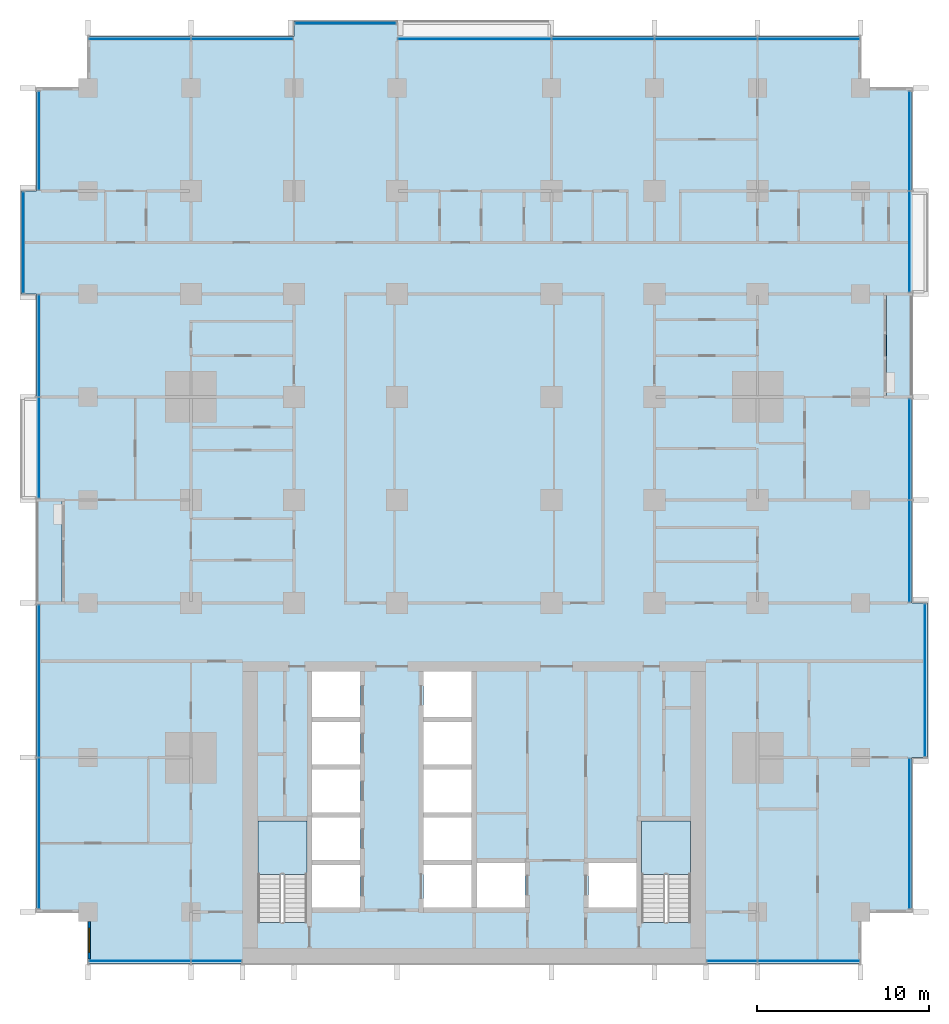
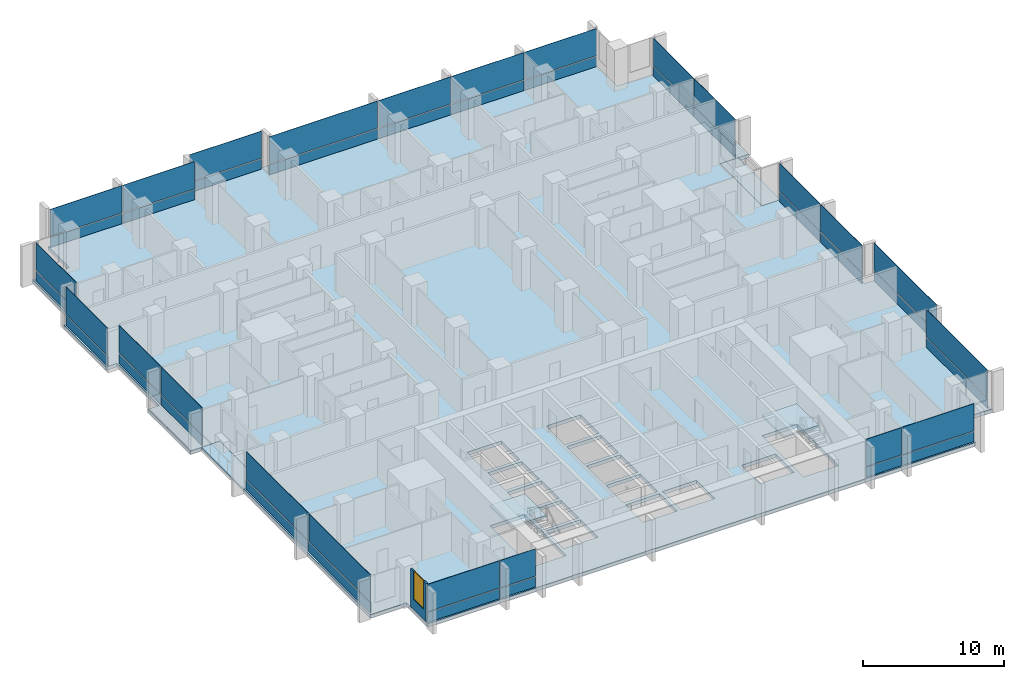
# One storey, part 6 of 18: 46 plates, 5 slabs, 1 wall, 1 window, 1 opening, 15 elements without a shape of their own.
"""IFC4 building model written with IfcOpenShell, lengths in metres."""

from ifc_helpers import new_model, si_unit, direction, frame, frame_2d, origin, origin_2d, place, context, subcontext, project, spatial, polyline, rectangle, outline, extrude, material, layer, layer_set, type_object, element, fill, aggregate, save


model = new_model("IFC4")

# Units and contexts
model_context = context("Model", 3, precision=1e-05, world=origin(), true_north=direction((0.0, 1.0)))
body_context = subcontext(model_context, "Body", "Model", "MODEL_VIEW")
ifc_project = project(units=[si_unit("LENGTHUNIT", "METRE"), si_unit("AREAUNIT", "SQUARE_METRE"), si_unit("VOLUMEUNIT", "CUBIC_METRE"), si_unit("PLANEANGLEUNIT", "RADIAN"), si_unit("MASSUNIT", "GRAM", prefix="KILO")], contexts=[model_context])

# Site, building, storey
site_placement = place(None, origin())
site = spatial("IfcSite", under=ifc_project, at=site_placement, CompositionType="ELEMENT")
building_placement = place(site_placement, origin())
building = spatial("IfcBuilding", under=site, at=building_placement, Name="Finial Court Residences", CompositionType="ELEMENT")
storey_placement = place(building_placement, frame((0.0, 0.0, 36.10009765625)))
storey = spatial("IfcBuildingStorey", under=building, at=storey_placement, Name="L07", CompositionType="ELEMENT", Elevation=36.10009765625)

# Slabs
ifc_material_1 = material(Name="Concrete C35/45", Category="concrete")
ifc_layer_1 = layer(ifc_material_1, 0.199951171875)
ifc_layer_set_1 = layer_set([ifc_layer_1], Name="Balcony slab, Concrete C35/45 200")
slab_type_1 = type_object("IfcSlabType", Name="Balcony slab, Concrete C35/45 200", PredefinedType="FLOOR", material=ifc_layer_set_1)
slab_1_placement = place(storey_placement, frame((0.0, 0.0, -0.2001953125)))
element("IfcSlab", 1, at=slab_1_placement, inside=storey, type_object=slab_type_1, Name="Balcony L07-E5", PredefinedType="FLOOR", context=body_context, shape_type="SweptSolid", body=[
    extrude(outline(polyline([(25.5, 7.5), (25.5, 13.5), (24.0, 13.5), (24.0, 7.5), (25.5, 7.5)])), origin(), (0.0, 0.0, 1.0), 0.2001953125),
])
slab_2_placement = place(storey_placement, frame((0.0, 0.0, -0.2001953125)))
element("IfcSlab", 2, at=slab_2_placement, inside=storey, type_object=slab_type_1, Name="Balcony L07-W3", PredefinedType="FLOOR", context=body_context, shape_type="SweptSolid", body=[
    extrude(outline(polyline([(-24.0, -4.5), (-24.0, 1.5), (-25.5, 1.5), (-25.5, -4.5), (-24.0, -4.5)])), origin(), (0.0, 0.0, 1.0), 0.2001953125),
])

# Curtain wall, plates
ifc_material_2 = material(Name="Bronze anodised aluminium", Category="aluminium")
curtain_wall_type = type_object("IfcCurtainWallType", Name="Unitised curtain wall, lower and middle zones", PredefinedType="NOTDEFINED", material=ifc_material_2)
curtain_wall_1_placement = place(storey_placement, origin())
curtain_wall_1 = element("IfcCurtainWall", 3, at=curtain_wall_1_placement, inside=storey, type_object=curtain_wall_type, Name="E-L07-CW-N1", PredefinedType="NOTDEFINED")
ifc_layer_2 = layer(ifc_material_2, 0.0400390625)
ifc_layer_set_2 = layer_set([ifc_layer_2], Name="CW1 spandrel panel 40")
plate_type_1 = type_object("IfcPlateType", Name="CW1 spandrel panel 40", PredefinedType="CURTAIN_PANEL", material=ifc_layer_set_2)
plate_1_placement = place(storey_placement, frame((-19.48388671875, 28.35009765625, 0.0), z_axis=(0.0, 0.0, 1.0), x_axis=(1.0, 0.0, 0.0)))
plate_1 = element("IfcPlate", 4, at=plate_1_placement, type_object=plate_type_1, Name="CW1 spandrel 1.1", PredefinedType="CURTAIN_PANEL", context=body_context, shape_type="SweptSolid", body=[
    extrude(rectangle(XDim=5.902587890625, YDim=0.0400390625, at=origin_2d()), origin(), (0.0, 0.0, 1.0), 0.867431640625),
])
plate_2_placement = place(storey_placement, frame((-13.516357421875, 28.35009765625, 0.0), z_axis=(0.0, 0.0, 1.0), x_axis=(1.0, 0.0, 0.0)))
plate_2 = element("IfcPlate", 5, at=plate_2_placement, type_object=plate_type_1, Name="CW1 spandrel 2.1", PredefinedType="CURTAIN_PANEL", context=body_context, shape_type="SweptSolid", body=[
    extrude(rectangle(XDim=5.902587890625, YDim=0.0400390625, at=origin_2d()), origin(), (0.0, 0.0, 1.0), 0.867431640625),
])

# Curtain wall, plate
curtain_wall_2_placement = place(storey_placement, origin())
curtain_wall_2 = element("IfcCurtainWall", 6, at=curtain_wall_2_placement, inside=storey, type_object=curtain_wall_type, Name="E-L07-CW-N2", PredefinedType="NOTDEFINED")
plate_3_placement = place(storey_placement, frame((-7.5, 29.25, 0.0), z_axis=(0.0, 0.0, 1.0), x_axis=(1.0, 0.0, 0.0)))
plate_3 = element("IfcPlate", 7, at=plate_3_placement, type_object=plate_type_1, Name="CW1 spandrel 1.1", PredefinedType="CURTAIN_PANEL", context=body_context, shape_type="SweptSolid", body=[
    extrude(rectangle(XDim=5.8701171875, YDim=0.0400390625, at=origin_2d()), origin(), (0.0, 0.0, 1.0), 0.867431640625),
])

# Curtain wall, plates
curtain_wall_3_placement = place(storey_placement, origin())
curtain_wall_3 = element("IfcCurtainWall", 8, at=curtain_wall_3_placement, inside=storey, type_object=curtain_wall_type, Name="E-L07-CW-N3", PredefinedType="NOTDEFINED")
plate_4_placement = place(storey_placement, frame((0.01611328125, 28.35009765625, 0.0), z_axis=(0.0, 0.0, 1.0), x_axis=(1.0, 0.0, 0.0)))
plate_4 = element("IfcPlate", 9, at=plate_4_placement, type_object=plate_type_1, Name="CW1 spandrel 1.1", PredefinedType="CURTAIN_PANEL", context=body_context, shape_type="SweptSolid", body=[
    extrude(rectangle(XDim=8.902587890625, YDim=0.0400390625, at=origin_2d()), origin(), (0.0, 0.0, 1.0), 0.867431640625),
])
plate_5_placement = place(storey_placement, frame((7.5, 28.35009765625, 0.0), z_axis=(0.0, 0.0, 1.0), x_axis=(1.0, 0.0, 0.0)))
plate_5 = element("IfcPlate", 10, at=plate_5_placement, type_object=plate_type_1, Name="CW1 spandrel 2.1", PredefinedType="CURTAIN_PANEL", context=body_context, shape_type="SweptSolid", body=[
    extrude(rectangle(XDim=5.93505859375, YDim=0.0400390625, at=origin_2d()), origin(), (0.0, 0.0, 1.0), 0.867431640625),
])
plate_6_placement = place(storey_placement, frame((13.5, 28.35009765625, 0.0), z_axis=(0.0, 0.0, 1.0), x_axis=(1.0, 0.0, 0.0)))
plate_6 = element("IfcPlate", 11, at=plate_6_placement, type_object=plate_type_1, Name="CW1 spandrel 3.1", PredefinedType="CURTAIN_PANEL", context=body_context, shape_type="SweptSolid", body=[
    extrude(rectangle(XDim=5.93505859375, YDim=0.0400390625, at=origin_2d()), origin(), (0.0, 0.0, 1.0), 0.867431640625),
])
plate_7_placement = place(storey_placement, frame((19.48388671875, 28.35009765625, 0.0), z_axis=(0.0, 0.0, 1.0), x_axis=(1.0, 0.0, 0.0)))
plate_7 = element("IfcPlate", 12, at=plate_7_placement, type_object=plate_type_1, Name="CW1 spandrel 4.1", PredefinedType="CURTAIN_PANEL", context=body_context, shape_type="SweptSolid", body=[
    extrude(rectangle(XDim=5.902587890625, YDim=0.0400390625, at=origin_2d()), origin(), (0.0, 0.0, 1.0), 0.867431640625),
])

# Curtain wall, plate
curtain_wall_4_placement = place(storey_placement, origin())
curtain_wall_4 = element("IfcCurtainWall", 13, at=curtain_wall_4_placement, inside=storey, type_object=curtain_wall_type, Name="E-L07-CW-E4", PredefinedType="NOTDEFINED")
plate_8_placement = place(storey_placement, frame((25.35009765625, -17.925048828125, 0.0), z_axis=(0.0, 0.0, 1.0), x_axis=(0.0, 1.0, 0.0)))
plate_8 = element("IfcPlate", 14, at=plate_8_placement, type_object=plate_type_1, Name="CW1 spandrel 1.1", PredefinedType="CURTAIN_PANEL", context=body_context, shape_type="SweptSolid", body=[
    extrude(rectangle(XDim=8.719970703125, YDim=0.0400390625, at=origin_2d()), origin(), (0.0, 0.0, 1.0), 0.867431640625),
])

curtain_wall_5_placement = place(storey_placement, origin())
curtain_wall_5 = element("IfcCurtainWall", 15, at=curtain_wall_5_placement, inside=storey, type_object=curtain_wall_type, Name="E-L07-CW-E5", PredefinedType="NOTDEFINED")
plate_9_placement = place(storey_placement, frame((26.25, -9.0, 0.0), z_axis=(0.0, 0.0, 1.0), x_axis=(0.0, 1.0, 0.0)))
plate_9 = element("IfcPlate", 16, at=plate_9_placement, type_object=plate_type_1, Name="CW1 spandrel 1.1", PredefinedType="CURTAIN_PANEL", context=body_context, shape_type="SweptSolid", body=[
    extrude(rectangle(XDim=8.8701171875, YDim=0.0400390625, at=origin_2d()), origin(), (0.0, 0.0, 1.0), 0.867431640625),
])

# Curtain wall, plates
curtain_wall_6_placement = place(storey_placement, origin())
curtain_wall_6 = element("IfcCurtainWall", 17, at=curtain_wall_6_placement, inside=storey, type_object=curtain_wall_type, Name="E-L07-CW-E6", PredefinedType="NOTDEFINED")
plate_10_placement = place(storey_placement, frame((25.35009765625, -1.48388671875, 0.0), z_axis=(0.0, 0.0, 1.0), x_axis=(0.0, 1.0, 0.0)))
plate_10 = element("IfcPlate", 18, at=plate_10_placement, type_object=plate_type_1, Name="CW1 spandrel 1.1", PredefinedType="CURTAIN_PANEL", context=body_context, shape_type="SweptSolid", body=[
    extrude(rectangle(XDim=5.902587890625, YDim=0.0400390625, at=origin_2d()), origin(), (0.0, 0.0, 1.0), 0.867431640625),
])
plate_11_placement = place(storey_placement, frame((25.35009765625, 4.4462890625, 0.0), z_axis=(0.0, 0.0, 1.0), x_axis=(0.0, 1.0, 0.0)))
plate_11 = element("IfcPlate", 19, at=plate_11_placement, type_object=plate_type_1, Name="CW1 spandrel 2.1", PredefinedType="CURTAIN_PANEL", context=body_context, shape_type="SweptSolid", body=[
    extrude(rectangle(XDim=5.827392578125, YDim=0.0400390625, at=origin_2d()), origin(), (0.0, 0.0, 1.0), 0.867431640625),
])

curtain_wall_7_placement = place(storey_placement, origin())
curtain_wall_7 = element("IfcCurtainWall", 20, at=curtain_wall_7_placement, inside=storey, type_object=curtain_wall_type, Name="E-L07-CW-E7", PredefinedType="NOTDEFINED")
plate_12_placement = place(storey_placement, frame((25.35009765625, 16.5537109375, 0.0), z_axis=(0.0, 0.0, 1.0), x_axis=(0.0, 1.0, 0.0)))
plate_12 = element("IfcPlate", 21, at=plate_12_placement, type_object=plate_type_1, Name="CW1 spandrel 1.1", PredefinedType="CURTAIN_PANEL", context=body_context, shape_type="SweptSolid", body=[
    extrude(rectangle(XDim=5.827392578125, YDim=0.0400390625, at=origin_2d()), origin(), (0.0, 0.0, 1.0), 0.867431640625),
])
plate_13_placement = place(storey_placement, frame((25.35009765625, 22.40869140625, 0.0), z_axis=(0.0, 0.0, 1.0), x_axis=(0.0, 1.0, 0.0)))
plate_13 = element("IfcPlate", 22, at=plate_13_placement, type_object=plate_type_1, Name="CW1 spandrel 2.1", PredefinedType="CURTAIN_PANEL", context=body_context, shape_type="SweptSolid", body=[
    extrude(rectangle(XDim=5.75244140625, YDim=0.0400390625, at=origin_2d()), origin(), (0.0, 0.0, 1.0), 0.867431640625),
])

curtain_wall_8_placement = place(storey_placement, origin())
curtain_wall_8 = element("IfcCurtainWall", 23, at=curtain_wall_8_placement, inside=storey, type_object=curtain_wall_type, Name="E-L07-CW-S8", PredefinedType="NOTDEFINED")
plate_14_placement = place(storey_placement, frame((-19.48388671875, -25.35009765625, 0.0), z_axis=(0.0, 0.0, 1.0), x_axis=(1.0, 0.0, 0.0)))
plate_14 = element("IfcPlate", 24, at=plate_14_placement, type_object=plate_type_1, Name="CW1 spandrel 1.1", PredefinedType="CURTAIN_PANEL", context=body_context, shape_type="SweptSolid", body=[
    extrude(rectangle(XDim=5.902587890625, YDim=0.0400390625, at=origin_2d()), origin(), (0.0, 0.0, 1.0), 0.867431640625),
])
plate_15_placement = place(storey_placement, frame((-15.016357421875, -25.35009765625, 0.0), z_axis=(0.0, 0.0, 1.0), x_axis=(1.0, 0.0, 0.0)))
plate_15 = element("IfcPlate", 25, at=plate_15_placement, type_object=plate_type_1, Name="CW1 spandrel 2.1", PredefinedType="CURTAIN_PANEL", context=body_context, shape_type="SweptSolid", body=[
    extrude(rectangle(XDim=2.902587890625, YDim=0.0400390625, at=origin_2d()), origin(), (0.0, 0.0, 1.0), 0.867431640625),
])

curtain_wall_9_placement = place(storey_placement, origin())
curtain_wall_9 = element("IfcCurtainWall", 26, at=curtain_wall_9_placement, inside=storey, type_object=curtain_wall_type, Name="E-L07-CW-S9", PredefinedType="NOTDEFINED")
plate_16_placement = place(storey_placement, frame((15.016357421875, -25.35009765625, 0.0), z_axis=(0.0, 0.0, 1.0), x_axis=(1.0, 0.0, 0.0)))
plate_16 = element("IfcPlate", 27, at=plate_16_placement, type_object=plate_type_1, Name="CW1 spandrel 1.1", PredefinedType="CURTAIN_PANEL", context=body_context, shape_type="SweptSolid", body=[
    extrude(rectangle(XDim=2.902587890625, YDim=0.0400390625, at=origin_2d()), origin(), (0.0, 0.0, 1.0), 0.867431640625),
])
plate_17_placement = place(storey_placement, frame((19.48388671875, -25.35009765625, 0.0), z_axis=(0.0, 0.0, 1.0), x_axis=(1.0, 0.0, 0.0)))
plate_17 = element("IfcPlate", 28, at=plate_17_placement, type_object=plate_type_1, Name="CW1 spandrel 2.1", PredefinedType="CURTAIN_PANEL", context=body_context, shape_type="SweptSolid", body=[
    extrude(rectangle(XDim=5.902587890625, YDim=0.0400390625, at=origin_2d()), origin(), (0.0, 0.0, 1.0), 0.867431640625),
])

curtain_wall_10_placement = place(storey_placement, origin())
curtain_wall_10 = element("IfcCurtainWall", 29, at=curtain_wall_10_placement, inside=storey, type_object=curtain_wall_type, Name="E-L07-CW-W10", PredefinedType="NOTDEFINED")
plate_18_placement = place(storey_placement, frame((-25.35009765625, -17.90869140625, 0.0), z_axis=(0.0, 0.0, 1.0), x_axis=(0.0, 1.0, 0.0)))
plate_18 = element("IfcPlate", 30, at=plate_18_placement, type_object=plate_type_1, Name="CW1 spandrel 1.1", PredefinedType="CURTAIN_PANEL", context=body_context, shape_type="SweptSolid", body=[
    extrude(rectangle(XDim=8.75244140625, YDim=0.0400390625, at=origin_2d()), origin(), (0.0, 0.0, 1.0), 0.867431640625),
])
plate_19_placement = place(storey_placement, frame((-25.35009765625, -9.0537109375, 0.0), z_axis=(0.0, 0.0, 1.0), x_axis=(0.0, 1.0, 0.0)))
plate_19 = element("IfcPlate", 31, at=plate_19_placement, type_object=plate_type_1, Name="CW1 spandrel 2.1", PredefinedType="CURTAIN_PANEL", context=body_context, shape_type="SweptSolid", body=[
    extrude(rectangle(XDim=8.827392578125, YDim=0.0400390625, at=origin_2d()), origin(), (0.0, 0.0, 1.0), 0.867431640625),
])

curtain_wall_11_placement = place(storey_placement, origin())
curtain_wall_11 = element("IfcCurtainWall", 32, at=curtain_wall_11_placement, inside=storey, type_object=curtain_wall_type, Name="E-L07-CW-W11", PredefinedType="NOTDEFINED")
plate_20_placement = place(storey_placement, frame((-25.35009765625, 4.5537109375, 0.0), z_axis=(0.0, 0.0, 1.0), x_axis=(0.0, 1.0, 0.0)))
plate_20 = element("IfcPlate", 33, at=plate_20_placement, type_object=plate_type_1, Name="CW1 spandrel 1.1", PredefinedType="CURTAIN_PANEL", context=body_context, shape_type="SweptSolid", body=[
    extrude(rectangle(XDim=5.827392578125, YDim=0.0400390625, at=origin_2d()), origin(), (0.0, 0.0, 1.0), 0.867431640625),
])
plate_21_placement = place(storey_placement, frame((-25.35009765625, 10.483642578125, 0.0), z_axis=(0.0, 0.0, 1.0), x_axis=(0.0, 1.0, 0.0)))
plate_21 = element("IfcPlate", 34, at=plate_21_placement, type_object=plate_type_1, Name="CW1 spandrel 2.1", PredefinedType="CURTAIN_PANEL", context=body_context, shape_type="SweptSolid", body=[
    extrude(rectangle(XDim=5.902587890625, YDim=0.0400390625, at=origin_2d()), origin(), (0.0, 0.0, 1.0), 0.867431640625),
])

# Curtain wall, plate
curtain_wall_12_placement = place(storey_placement, origin())
curtain_wall_12 = element("IfcCurtainWall", 35, at=curtain_wall_12_placement, inside=storey, type_object=curtain_wall_type, Name="E-L07-CW-W12", PredefinedType="NOTDEFINED")
plate_22_placement = place(storey_placement, frame((-26.25, 16.5, 0.0), z_axis=(0.0, 0.0, 1.0), x_axis=(0.0, 1.0, 0.0)))
plate_22 = element("IfcPlate", 36, at=plate_22_placement, type_object=plate_type_1, Name="CW1 spandrel 1.1", PredefinedType="CURTAIN_PANEL", context=body_context, shape_type="SweptSolid", body=[
    extrude(rectangle(XDim=5.8701171875, YDim=0.0400390625, at=origin_2d()), origin(), (0.0, 0.0, 1.0), 0.867431640625),
])

curtain_wall_13_placement = place(storey_placement, origin())
curtain_wall_13 = element("IfcCurtainWall", 37, at=curtain_wall_13_placement, inside=storey, type_object=curtain_wall_type, Name="E-L07-CW-W13", PredefinedType="NOTDEFINED")
plate_23_placement = place(storey_placement, frame((-25.35009765625, 22.425048828125, 0.0), z_axis=(0.0, 0.0, 1.0), x_axis=(0.0, 1.0, 0.0)))
plate_23 = element("IfcPlate", 38, at=plate_23_placement, type_object=plate_type_1, Name="CW1 spandrel 1.1", PredefinedType="CURTAIN_PANEL", context=body_context, shape_type="SweptSolid", body=[
    extrude(rectangle(XDim=5.719970703125, YDim=0.0400390625, at=origin_2d()), origin(), (0.0, 0.0, 1.0), 0.867431640625),
])

# Plate
ifc_material_3 = material(Name="Clear low-e glass", Category="glass")
ifc_layer_3 = layer(ifc_material_3, 0.031982421875)
ifc_layer_set_3 = layer_set([ifc_layer_3], Name="CW1 vision glass 32")
plate_type_2 = type_object("IfcPlateType", Name="CW1 vision glass 32", PredefinedType="CURTAIN_PANEL", material=ifc_layer_set_3)
plate_24_placement = place(storey_placement, frame((-19.48388671875, 28.35009765625, 0.9326171875), z_axis=(0.0, 0.0, 1.0), x_axis=(1.0, 0.0, 0.0)))
plate_24 = element("IfcPlate", 39, at=plate_24_placement, type_object=plate_type_2, Name="CW1 glass 1.2", PredefinedType="CURTAIN_PANEL", context=body_context, shape_type="SweptSolid", body=[
    extrude(rectangle(XDim=5.902587890625, YDim=0.031982421875, at=origin_2d()), origin(), (0.0, 0.0, 1.0), 2.367431640625),
])

plate_25_placement = place(storey_placement, frame((-13.516357421875, 28.35009765625, 0.9326171875), z_axis=(0.0, 0.0, 1.0), x_axis=(1.0, 0.0, 0.0)))
plate_25 = element("IfcPlate", 40, at=plate_25_placement, type_object=plate_type_2, Name="CW1 glass 2.2", PredefinedType="CURTAIN_PANEL", context=body_context, shape_type="SweptSolid", body=[
    extrude(rectangle(XDim=5.902587890625, YDim=0.031982421875, at=origin_2d()), origin(), (0.0, 0.0, 1.0), 2.367431640625),
])

aggregate(curtain_wall_1, [plate_1, plate_24, plate_2, plate_25])

plate_26_placement = place(storey_placement, frame((-7.5, 29.25, 0.9326171875), z_axis=(0.0, 0.0, 1.0), x_axis=(1.0, 0.0, 0.0)))
plate_26 = element("IfcPlate", 41, at=plate_26_placement, type_object=plate_type_2, Name="CW1 glass 1.2", PredefinedType="CURTAIN_PANEL", context=body_context, shape_type="SweptSolid", body=[
    extrude(rectangle(XDim=5.8701171875, YDim=0.031982421875, at=origin_2d()), origin(), (0.0, 0.0, 1.0), 2.367431640625),
])

aggregate(curtain_wall_2, [plate_3, plate_26])

plate_27_placement = place(storey_placement, frame((0.01611328125, 28.35009765625, 0.9326171875), z_axis=(0.0, 0.0, 1.0), x_axis=(1.0, 0.0, 0.0)))
plate_27 = element("IfcPlate", 42, at=plate_27_placement, type_object=plate_type_2, Name="CW1 glass 1.2", PredefinedType="CURTAIN_PANEL", context=body_context, shape_type="SweptSolid", body=[
    extrude(rectangle(XDim=8.902587890625, YDim=0.031982421875, at=origin_2d()), origin(), (0.0, 0.0, 1.0), 2.367431640625),
])

plate_28_placement = place(storey_placement, frame((7.5, 28.35009765625, 0.9326171875), z_axis=(0.0, 0.0, 1.0), x_axis=(1.0, 0.0, 0.0)))
plate_28 = element("IfcPlate", 43, at=plate_28_placement, type_object=plate_type_2, Name="CW1 glass 2.2", PredefinedType="CURTAIN_PANEL", context=body_context, shape_type="SweptSolid", body=[
    extrude(rectangle(XDim=5.93505859375, YDim=0.031982421875, at=origin_2d()), origin(), (0.0, 0.0, 1.0), 2.367431640625),
])

plate_29_placement = place(storey_placement, frame((13.5, 28.35009765625, 0.9326171875), z_axis=(0.0, 0.0, 1.0), x_axis=(1.0, 0.0, 0.0)))
plate_29 = element("IfcPlate", 44, at=plate_29_placement, type_object=plate_type_2, Name="CW1 glass 3.2", PredefinedType="CURTAIN_PANEL", context=body_context, shape_type="SweptSolid", body=[
    extrude(rectangle(XDim=5.93505859375, YDim=0.031982421875, at=origin_2d()), origin(), (0.0, 0.0, 1.0), 2.367431640625),
])

plate_30_placement = place(storey_placement, frame((19.48388671875, 28.35009765625, 0.9326171875), z_axis=(0.0, 0.0, 1.0), x_axis=(1.0, 0.0, 0.0)))
plate_30 = element("IfcPlate", 45, at=plate_30_placement, type_object=plate_type_2, Name="CW1 glass 4.2", PredefinedType="CURTAIN_PANEL", context=body_context, shape_type="SweptSolid", body=[
    extrude(rectangle(XDim=5.902587890625, YDim=0.031982421875, at=origin_2d()), origin(), (0.0, 0.0, 1.0), 2.367431640625),
])

aggregate(curtain_wall_3, [plate_4, plate_27, plate_5, plate_28, plate_6, plate_29, plate_7, plate_30])

plate_31_placement = place(storey_placement, frame((25.35009765625, -17.925048828125, 0.9326171875), z_axis=(0.0, 0.0, 1.0), x_axis=(0.0, 1.0, 0.0)))
plate_31 = element("IfcPlate", 46, at=plate_31_placement, type_object=plate_type_2, Name="CW1 glass 1.2", PredefinedType="CURTAIN_PANEL", context=body_context, shape_type="SweptSolid", body=[
    extrude(rectangle(XDim=8.719970703125, YDim=0.031982421875, at=origin_2d()), origin(), (0.0, 0.0, 1.0), 2.367431640625),
])

aggregate(curtain_wall_4, [plate_8, plate_31])

plate_32_placement = place(storey_placement, frame((26.25, -9.0, 0.9326171875), z_axis=(0.0, 0.0, 1.0), x_axis=(0.0, 1.0, 0.0)))
plate_32 = element("IfcPlate", 47, at=plate_32_placement, type_object=plate_type_2, Name="CW1 glass 1.2", PredefinedType="CURTAIN_PANEL", context=body_context, shape_type="SweptSolid", body=[
    extrude(rectangle(XDim=8.8701171875, YDim=0.031982421875, at=origin_2d()), origin(), (0.0, 0.0, 1.0), 2.367431640625),
])

aggregate(curtain_wall_5, [plate_9, plate_32])

plate_33_placement = place(storey_placement, frame((25.35009765625, -1.48388671875, 0.9326171875), z_axis=(0.0, 0.0, 1.0), x_axis=(0.0, 1.0, 0.0)))
plate_33 = element("IfcPlate", 48, at=plate_33_placement, type_object=plate_type_2, Name="CW1 glass 1.2", PredefinedType="CURTAIN_PANEL", context=body_context, shape_type="SweptSolid", body=[
    extrude(rectangle(XDim=5.902587890625, YDim=0.031982421875, at=origin_2d()), origin(), (0.0, 0.0, 1.0), 2.367431640625),
])

plate_34_placement = place(storey_placement, frame((25.35009765625, 4.4462890625, 0.9326171875), z_axis=(0.0, 0.0, 1.0), x_axis=(0.0, 1.0, 0.0)))
plate_34 = element("IfcPlate", 49, at=plate_34_placement, type_object=plate_type_2, Name="CW1 glass 2.2", PredefinedType="CURTAIN_PANEL", context=body_context, shape_type="SweptSolid", body=[
    extrude(rectangle(XDim=5.827392578125, YDim=0.031982421875, at=origin_2d()), origin(), (0.0, 0.0, 1.0), 2.367431640625),
])

aggregate(curtain_wall_6, [plate_10, plate_33, plate_11, plate_34])

plate_35_placement = place(storey_placement, frame((25.35009765625, 16.5537109375, 0.9326171875), z_axis=(0.0, 0.0, 1.0), x_axis=(0.0, 1.0, 0.0)))
plate_35 = element("IfcPlate", 50, at=plate_35_placement, type_object=plate_type_2, Name="CW1 glass 1.2", PredefinedType="CURTAIN_PANEL", context=body_context, shape_type="SweptSolid", body=[
    extrude(rectangle(XDim=5.827392578125, YDim=0.031982421875, at=origin_2d()), origin(), (0.0, 0.0, 1.0), 2.367431640625),
])

plate_36_placement = place(storey_placement, frame((25.35009765625, 22.40869140625, 0.9326171875), z_axis=(0.0, 0.0, 1.0), x_axis=(0.0, 1.0, 0.0)))
plate_36 = element("IfcPlate", 51, at=plate_36_placement, type_object=plate_type_2, Name="CW1 glass 2.2", PredefinedType="CURTAIN_PANEL", context=body_context, shape_type="SweptSolid", body=[
    extrude(rectangle(XDim=5.75244140625, YDim=0.031982421875, at=origin_2d()), origin(), (0.0, 0.0, 1.0), 2.367431640625),
])

aggregate(curtain_wall_7, [plate_12, plate_35, plate_13, plate_36])

plate_37_placement = place(storey_placement, frame((-19.48388671875, -25.35009765625, 0.9326171875), z_axis=(0.0, 0.0, 1.0), x_axis=(1.0, 0.0, 0.0)))
plate_37 = element("IfcPlate", 52, at=plate_37_placement, type_object=plate_type_2, Name="CW1 glass 1.2", PredefinedType="CURTAIN_PANEL", context=body_context, shape_type="SweptSolid", body=[
    extrude(rectangle(XDim=5.902587890625, YDim=0.031982421875, at=origin_2d()), origin(), (0.0, 0.0, 1.0), 2.367431640625),
])

plate_38_placement = place(storey_placement, frame((-15.016357421875, -25.35009765625, 0.9326171875), z_axis=(0.0, 0.0, 1.0), x_axis=(1.0, 0.0, 0.0)))
plate_38 = element("IfcPlate", 53, at=plate_38_placement, type_object=plate_type_2, Name="CW1 glass 2.2", PredefinedType="CURTAIN_PANEL", context=body_context, shape_type="SweptSolid", body=[
    extrude(rectangle(XDim=2.902587890625, YDim=0.031982421875, at=origin_2d()), origin(), (0.0, 0.0, 1.0), 2.367431640625),
])

aggregate(curtain_wall_8, [plate_14, plate_37, plate_15, plate_38])

plate_39_placement = place(storey_placement, frame((15.016357421875, -25.35009765625, 0.9326171875), z_axis=(0.0, 0.0, 1.0), x_axis=(1.0, 0.0, 0.0)))
plate_39 = element("IfcPlate", 54, at=plate_39_placement, type_object=plate_type_2, Name="CW1 glass 1.2", PredefinedType="CURTAIN_PANEL", context=body_context, shape_type="SweptSolid", body=[
    extrude(rectangle(XDim=2.902587890625, YDim=0.031982421875, at=origin_2d()), origin(), (0.0, 0.0, 1.0), 2.367431640625),
])

plate_40_placement = place(storey_placement, frame((19.48388671875, -25.35009765625, 0.9326171875), z_axis=(0.0, 0.0, 1.0), x_axis=(1.0, 0.0, 0.0)))
plate_40 = element("IfcPlate", 55, at=plate_40_placement, type_object=plate_type_2, Name="CW1 glass 2.2", PredefinedType="CURTAIN_PANEL", context=body_context, shape_type="SweptSolid", body=[
    extrude(rectangle(XDim=5.902587890625, YDim=0.031982421875, at=origin_2d()), origin(), (0.0, 0.0, 1.0), 2.367431640625),
])

aggregate(curtain_wall_9, [plate_16, plate_39, plate_17, plate_40])

plate_41_placement = place(storey_placement, frame((-25.35009765625, -17.90869140625, 0.9326171875), z_axis=(0.0, 0.0, 1.0), x_axis=(0.0, 1.0, 0.0)))
plate_41 = element("IfcPlate", 56, at=plate_41_placement, type_object=plate_type_2, Name="CW1 glass 1.2", PredefinedType="CURTAIN_PANEL", context=body_context, shape_type="SweptSolid", body=[
    extrude(rectangle(XDim=8.75244140625, YDim=0.031982421875, at=origin_2d()), origin(), (0.0, 0.0, 1.0), 2.367431640625),
])

plate_42_placement = place(storey_placement, frame((-25.35009765625, -9.0537109375, 0.9326171875), z_axis=(0.0, 0.0, 1.0), x_axis=(0.0, 1.0, 0.0)))
plate_42 = element("IfcPlate", 57, at=plate_42_placement, type_object=plate_type_2, Name="CW1 glass 2.2", PredefinedType="CURTAIN_PANEL", context=body_context, shape_type="SweptSolid", body=[
    extrude(rectangle(XDim=8.827392578125, YDim=0.031982421875, at=origin_2d()), origin(), (0.0, 0.0, 1.0), 2.367431640625),
])

aggregate(curtain_wall_10, [plate_18, plate_41, plate_19, plate_42])

plate_43_placement = place(storey_placement, frame((-25.35009765625, 4.5537109375, 0.9326171875), z_axis=(0.0, 0.0, 1.0), x_axis=(0.0, 1.0, 0.0)))
plate_43 = element("IfcPlate", 58, at=plate_43_placement, type_object=plate_type_2, Name="CW1 glass 1.2", PredefinedType="CURTAIN_PANEL", context=body_context, shape_type="SweptSolid", body=[
    extrude(rectangle(XDim=5.827392578125, YDim=0.031982421875, at=origin_2d()), origin(), (0.0, 0.0, 1.0), 2.367431640625),
])

plate_44_placement = place(storey_placement, frame((-25.35009765625, 10.483642578125, 0.9326171875), z_axis=(0.0, 0.0, 1.0), x_axis=(0.0, 1.0, 0.0)))
plate_44 = element("IfcPlate", 59, at=plate_44_placement, type_object=plate_type_2, Name="CW1 glass 2.2", PredefinedType="CURTAIN_PANEL", context=body_context, shape_type="SweptSolid", body=[
    extrude(rectangle(XDim=5.902587890625, YDim=0.031982421875, at=origin_2d()), origin(), (0.0, 0.0, 1.0), 2.367431640625),
])

aggregate(curtain_wall_11, [plate_20, plate_43, plate_21, plate_44])

plate_45_placement = place(storey_placement, frame((-26.25, 16.5, 0.9326171875), z_axis=(0.0, 0.0, 1.0), x_axis=(0.0, 1.0, 0.0)))
plate_45 = element("IfcPlate", 60, at=plate_45_placement, type_object=plate_type_2, Name="CW1 glass 1.2", PredefinedType="CURTAIN_PANEL", context=body_context, shape_type="SweptSolid", body=[
    extrude(rectangle(XDim=5.8701171875, YDim=0.031982421875, at=origin_2d()), origin(), (0.0, 0.0, 1.0), 2.367431640625),
])

aggregate(curtain_wall_12, [plate_22, plate_45])

plate_46_placement = place(storey_placement, frame((-25.35009765625, 22.425048828125, 0.9326171875), z_axis=(0.0, 0.0, 1.0), x_axis=(0.0, 1.0, 0.0)))
plate_46 = element("IfcPlate", 61, at=plate_46_placement, type_object=plate_type_2, Name="CW1 glass 1.2", PredefinedType="CURTAIN_PANEL", context=body_context, shape_type="SweptSolid", body=[
    extrude(rectangle(XDim=5.719970703125, YDim=0.031982421875, at=origin_2d()), origin(), (0.0, 0.0, 1.0), 2.367431640625),
])

aggregate(curtain_wall_13, [plate_23, plate_46])

# Stair, slab
ifc_material_4 = material(Name="Concrete C50/60", Category="concrete")
stair_type = type_object("IfcStairType", Name="Exit stair 22 risers of 163.6 mm", PredefinedType="HALF_TURN_STAIR", material=ifc_material_4)
stair_1_placement = place(storey_placement, origin())
stair_1 = element("IfcStair", 62, at=stair_1_placement, inside=storey, type_object=stair_type, Name="L07 Exit stair ST-1", PredefinedType="HALF_TURN_STAIR")
ifc_layer_4 = layer(ifc_material_4, 0.199951171875)
ifc_layer_set_4 = layer_set([ifc_layer_4], Name="Exit stair landing")
slab_type_2 = type_object("IfcSlabType", Name="Exit stair landing", PredefinedType="LANDING", material=ifc_layer_set_4)
slab_3_placement = place(storey_placement, frame((0.0, 0.0, 1.599853515625)))
slab_3 = element("IfcSlab", 63, at=slab_3_placement, type_object=slab_type_2, Name="ST-1 landing 1", PredefinedType="LANDING", context=body_context, shape_type="SweptSolid", body=[
    extrude(outline(polyline([(-9.75, -20.300048828125), (-9.75, -17.199951171875), (-12.60009765625, -17.199951171875), (-12.60009765625, -20.300048828125), (-9.75, -20.300048828125)])), origin(), (0.0, 0.0, 1.0), 0.199951171875),
])
aggregate(stair_1, [slab_3])

stair_2_placement = place(storey_placement, origin())
stair_2 = element("IfcStair", 64, at=stair_2_placement, inside=storey, type_object=stair_type, Name="L07 Exit stair ST-2", PredefinedType="HALF_TURN_STAIR")
slab_4_placement = place(storey_placement, frame((0.0, 0.0, 1.599853515625)))
slab_4 = element("IfcSlab", 65, at=slab_4_placement, type_object=slab_type_2, Name="ST-2 landing 1", PredefinedType="LANDING", context=body_context, shape_type="SweptSolid", body=[
    extrude(outline(polyline([(12.60009765625, -20.300048828125), (12.60009765625, -17.199951171875), (9.75, -17.199951171875), (9.75, -20.300048828125), (12.60009765625, -20.300048828125)])), origin(), (0.0, 0.0, 1.0), 0.199951171875),
])
aggregate(stair_2, [slab_4])

# Slab
ifc_material_5 = material(Name="Concrete C40/50", Category="concrete")
ifc_layer_5 = layer(ifc_material_5, 0.300048828125)
ifc_layer_set_5 = layer_set([ifc_layer_5], Name="Flat plate slab 300 Concrete C40/50")
slab_type_3 = type_object("IfcSlabType", Name="Flat plate slab 300 Concrete C40/50", PredefinedType="FLOOR", material=ifc_layer_set_5)
slab_5_placement = place(storey_placement, frame((0.0, 0.0, -0.300048828125)))
element("IfcSlab", 66, at=slab_5_placement, inside=storey, type_object=slab_type_3, Name="S:SLAB:L07", PredefinedType="FLOOR", context=body_context, shape_type="SweptSolid", body=[
    extrude(outline(polyline([(-22.5, -25.5), (-22.5, -22.5), (-25.5, -22.5), (-25.5, -4.5), (-24.0, -4.5), (-24.0, 1.5), (-25.5, 1.5), (-26.39990234375, 1.5), (-26.39990234375, 7.5), (-25.5, 7.5), (-25.5, 13.5), (-26.39990234375, 13.5), (-26.39990234375, 19.5), (-25.5, 19.5), (-25.5, 25.5), (-22.5, 25.5), (-22.5, 28.5), (-10.5, 28.5), (-10.5, 29.39990234375), (-4.5, 29.39990234375), (4.5, 29.39990234375), (4.5, 28.5), (22.5, 28.5), (22.5, 25.5), (25.5, 25.5), (25.5, 19.5), (26.39990234375, 19.5), (26.39990234375, 13.5), (25.5, 13.5), (24.0, 13.5), (24.0, 7.5), (25.5, 7.5), (25.5, -4.5), (26.39990234375, -4.5), (26.39990234375, -13.5), (25.5, -13.5), (25.5, -22.5), (22.5, -22.5), (22.5, -25.5), (-22.5, -25.5)]), holes=[polyline([(-6.64990234375, -19.77001953125), (-9.449951171875, -19.77001953125), (-9.449951171875, -22.25), (-6.64990234375, -22.25), (-6.64990234375, -19.77001953125)]), polyline([(-9.75, -17.199951171875), (-12.60009765625, -17.199951171875), (-12.60009765625, -23.09912109375), (-9.75, -23.09912109375), (-9.75, -17.199951171875)]), polyline([(-6.64990234375, -19.469970703125), (-6.64990234375, -16.989990234375), (-9.449951171875, -16.989990234375), (-9.449951171875, -19.469970703125), (-6.64990234375, -19.469970703125)]), polyline([(-6.64990234375, -16.68994140625), (-6.64990234375, -14.2099609375), (-9.449951171875, -14.2099609375), (-9.449951171875, -16.68994140625), (-6.64990234375, -16.68994140625)]), polyline([(-6.64990234375, -13.909912109375), (-6.64990234375, -11.429931640625), (-9.449951171875, -11.429931640625), (-9.449951171875, -13.909912109375), (-6.64990234375, -13.909912109375)]), polyline([(-6.64990234375, -11.1298828125), (-6.64990234375, -8.5), (-9.449951171875, -8.5), (-9.449951171875, -11.1298828125), (-6.64990234375, -11.1298828125)]), polyline([(-0.14990234375, -11.1298828125), (-0.14990234375, -8.5), (-2.949951171875, -8.5), (-2.949951171875, -11.1298828125), (-0.14990234375, -11.1298828125)]), polyline([(-0.14990234375, -19.77001953125), (-2.949951171875, -19.77001953125), (-2.949951171875, -22.25), (-0.14990234375, -22.25), (-0.14990234375, -19.77001953125)]), polyline([(2.949951171875, -22.25), (2.949951171875, -19.64990234375), (0.14990234375, -19.64990234375), (0.14990234375, -22.25), (2.949951171875, -22.25)]), polyline([(9.449951171875, -22.25), (9.449951171875, -19.64990234375), (6.64990234375, -19.64990234375), (6.64990234375, -22.25), (9.449951171875, -22.25)]), polyline([(12.60009765625, -17.199951171875), (9.75, -17.199951171875), (9.75, -23.09912109375), (12.60009765625, -23.09912109375), (12.60009765625, -17.199951171875)]), polyline([(-0.14990234375, -19.469970703125), (-0.14990234375, -16.989990234375), (-2.949951171875, -16.989990234375), (-2.949951171875, -19.469970703125), (-0.14990234375, -19.469970703125)]), polyline([(-0.14990234375, -16.68994140625), (-0.14990234375, -14.2099609375), (-2.949951171875, -14.2099609375), (-2.949951171875, -16.68994140625), (-0.14990234375, -16.68994140625)]), polyline([(-0.14990234375, -13.909912109375), (-0.14990234375, -11.429931640625), (-2.949951171875, -11.429931640625), (-2.949951171875, -13.909912109375), (-0.14990234375, -13.909912109375)])]), origin(), (0.0, 0.0, 1.0), 0.300048828125),
])

# Wall, opening, window
ifc_material_6 = material(Name="Natural limestone", Category="masonry")
ifc_layer_6 = layer(ifc_material_6, 0.14990234375)
ifc_layer_set_6 = layer_set([ifc_layer_6], Name="Limestone clad wall 150")
wall_type = type_object("IfcWallType", Name="Limestone clad wall 150", PredefinedType="SOLIDWALL", material=ifc_layer_set_6)
wall_placement = place(storey_placement, frame((-22.425048828125, -25.25, 0.0), z_axis=(0.0, 0.0, 1.0), x_axis=(0.0, 1.0, 0.0)))
wall = element("IfcWall", 67, at=wall_placement, inside=storey, type_object=wall_type, Name="E-L07-NWW14", PredefinedType="SOLIDWALL", context=body_context, shape_type="SweptSolid", body=[
    extrude(rectangle(XDim=2.199951171875, YDim=0.14990234375, at=frame_2d((1.10009765625, 0.0))), origin(), (0.0, 0.0, 1.0), 3.2998046875),
])
opening_placement = place(wall_placement, frame((0.39990234375, 0.0, 0.89990234375)))
opening = element("IfcOpeningElement", 68, at=opening_placement, cuts=wall, Name="Opening WE07-01", PredefinedType="OPENING", context=body_context, shape_type="SweptSolid", body=[
    extrude(rectangle(XDim=1.39990234375, YDim=2.39990234375, at=frame_2d((0.699951171875, 1.199951171875))), frame((0.0, 0.0849609375, 0.0), z_axis=(0.0, -1.0, 0.0), x_axis=(1.0, 0.0, 0.0)), (0.0, 0.0, 1.0), 0.169921875),
])
window_type = type_object("IfcWindowType", Name="Corner window 1400 x 2400", PartitioningType="SINGLE_PANEL", PredefinedType="WINDOW", material=ifc_material_3)
window_placement = place(opening_placement, origin())
window = element("IfcWindow", 69, at=window_placement, inside=storey, type_object=window_type, Name="E-L07-NWW14-W1", OverallHeight=2.39990234375, OverallWidth=1.39990234375, PartitioningType="SINGLE_PANEL", PredefinedType="WINDOW", context=body_context, shape_type="SweptSolid", body=[
    extrude(rectangle(XDim=1.39990234375, YDim=2.39990234375, at=frame_2d((0.699951171875, 1.199951171875))), frame((0.0, 0.030029296875, 0.0), z_axis=(0.0, -1.0, 0.0), x_axis=(1.0, 0.0, 0.0)), (0.0, 0.0, 1.0), 0.06005859375),
])
fill(opening, window)

save(model, "model.ifc")
